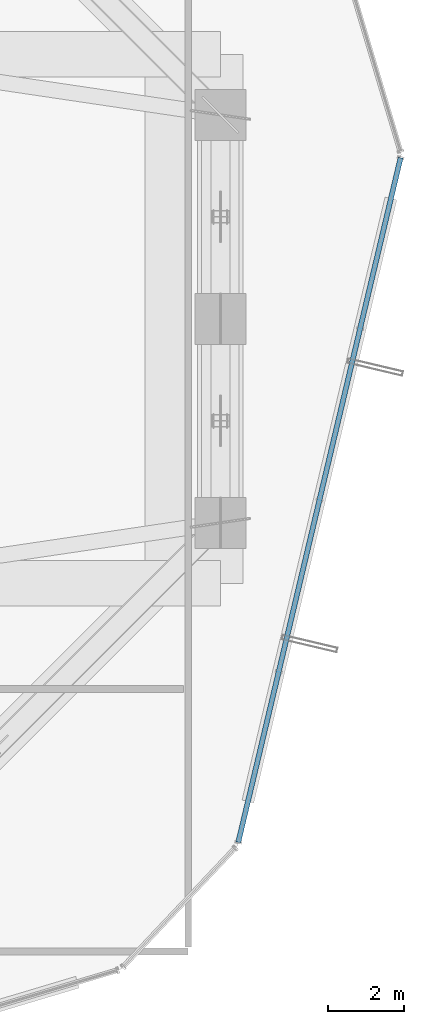
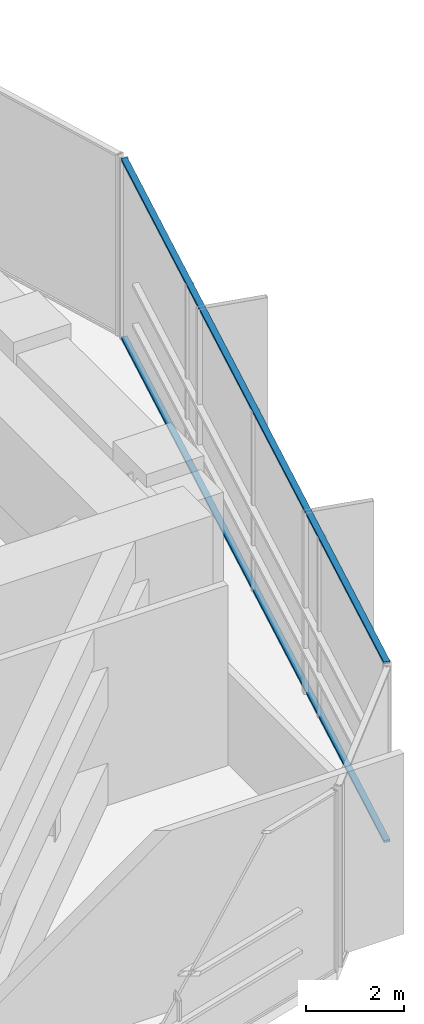
# One storey, part 19 of 41: 2 members, 1 element without a shape of its own.
"""IFC4 building model written with IfcOpenShell, lengths in metres."""

from ifc_helpers import new_model, si_unit, direction, frame, origin, origin_2d, place, context, subcontext, project, spatial, hollow_rectangle, extrude, source, transform, mapped, material, layer, layer_set, material_profile, profile_set, type_object, element, aggregate, save


model = new_model("IFC4")

# Units and contexts
model_context = context("Model", 3, precision=1e-05, world=origin(), true_north=direction((0.0, 1.0)))
body_context = subcontext(model_context, "Body", "Model", "MODEL_VIEW")
ifc_project = project(units=[si_unit("LENGTHUNIT", "METRE"), si_unit("AREAUNIT", "SQUARE_METRE"), si_unit("VOLUMEUNIT", "CUBIC_METRE"), si_unit("PLANEANGLEUNIT", "RADIAN"), si_unit("MASSUNIT", "GRAM", prefix="KILO")], contexts=[model_context])

# Site, building, storey
site_placement = place(None, origin())
site = spatial("IfcSite", under=ifc_project, at=site_placement, CompositionType="ELEMENT")
building_placement = place(site_placement, origin())
building = spatial("IfcBuilding", under=site, at=building_placement, Name="Veraguas Prism Commons", CompositionType="ELEMENT")
storey_placement = place(building_placement, frame((0.0, 0.0, 80.35009765625)))
storey = spatial("IfcBuildingStorey", under=building, at=storey_placement, Name="L22", CompositionType="ELEMENT", Elevation=80.35009765625)

# Curtain wall, members
ifc_material = material(Name="Anodised aluminium EN AW-6063 T6", Category="aluminium")
ifc_layer = layer(ifc_material, 0.169921875, Name="Unitised Flush Curtain Wall Zone 1", Category="aluminium")
ifc_layer_set = layer_set([ifc_layer], Name="Anodised aluminium EN AW-6063 T6")
curtain_wall_type = type_object("IfcCurtainWallType", Name="Unitised Flush Curtain Wall Zone 1", PredefinedType="NOTDEFINED", material=ifc_layer_set)
curtain_wall_placement = place(storey_placement, origin())
curtain_wall = element("IfcCurtainWall", 1, at=curtain_wall_placement, inside=storey, type_object=curtain_wall_type, Name="Tower Facade Curtain Wall L22-F6", PredefinedType="NOTDEFINED")
ifc_material_profile = material_profile(ifc_material, hollow_rectangle(XDim=0.054931640625, YDim=0.135009765625, WallThickness=0.0029296875, at=origin_2d()), Name="AL55X135X3")
ifc_profile_set = profile_set([ifc_material_profile], Name="Anodised aluminium EN AW-6063 T6")
member_type = type_object("IfcMemberType", Name="Curtain Wall Transom Standard AL 55x135x3", PredefinedType="USERDEFINED", material=ifc_profile_set)
shared_shape = source(origin(), body_context, "Body", "SweptSolid", [
    extrude(hollow_rectangle(XDim=0.054931640625, YDim=0.135009765625, WallThickness=0.0029296875, at=origin_2d()), origin(), (0.0, 0.0, 1.0), 18.62353515625),
])
member_1_placement = place(storey_placement, frame((42.0751953125, 10.143798828125, 0.02734375), z_axis=(0.230734885739, 0.97301665582, 0.0), x_axis=(0.0, 0.0, 1.0)))
member_1 = element("IfcMember", 2, at=member_1_placement, type_object=member_type, Name="CW-Z1 Transom 1", ObjectType="TRANSOM", PredefinedType="USERDEFINED", context=body_context, shape_type="MappedRepresentation", body=[
    mapped(shared_shape, transform((0.0, 0.0, 0.0), scale=1.0)),
])
member_2_placement = place(storey_placement, frame((42.0751953125, 10.143798828125, 4.452392578125), z_axis=(0.230734885739, 0.97301665582, 0.0), x_axis=(0.0, 0.0, 1.0)))
member_2 = element("IfcMember", 3, at=member_2_placement, type_object=member_type, Name="CW-Z1 Transom 2", ObjectType="TRANSOM", PredefinedType="USERDEFINED", context=body_context, shape_type="MappedRepresentation", body=[
    mapped(shared_shape, transform((0.0, 0.0, 0.0), scale=1.0)),
])
aggregate(curtain_wall, [member_1, member_2])

save(model, "model.ifc")
